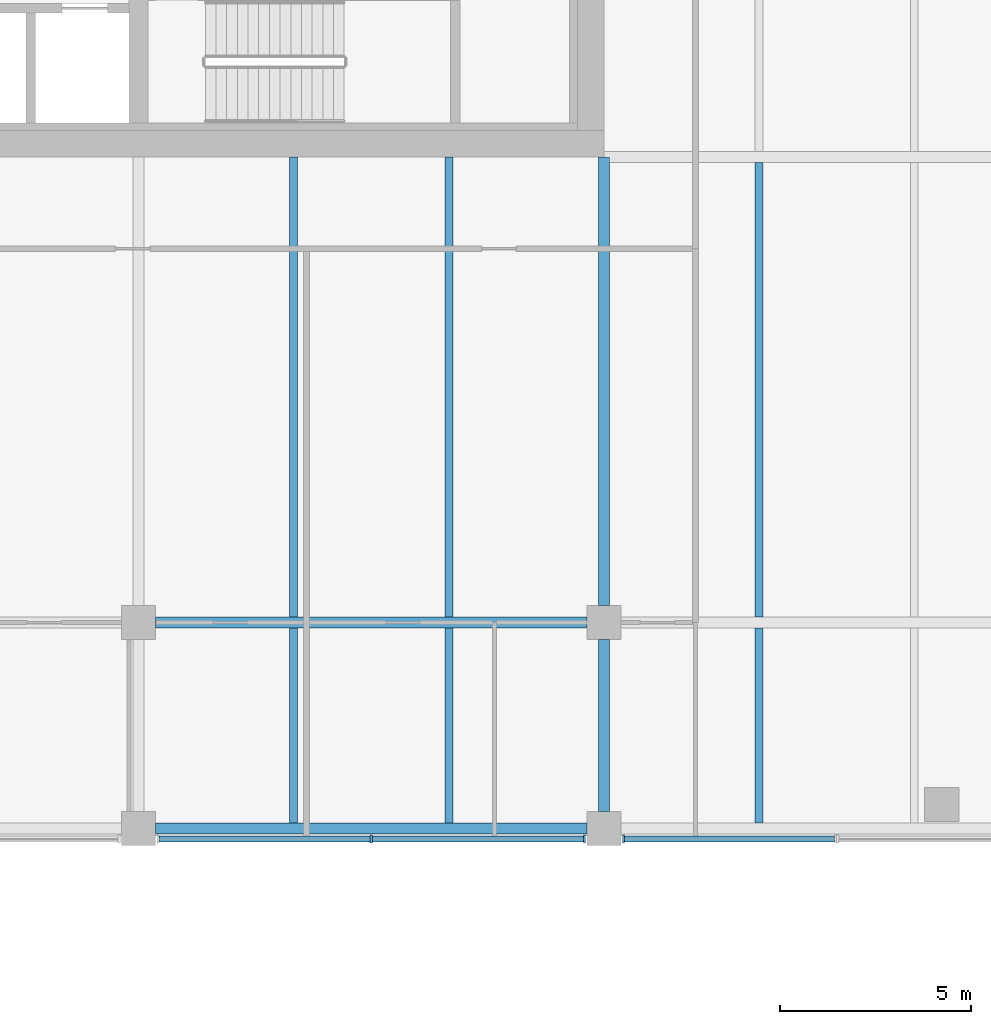
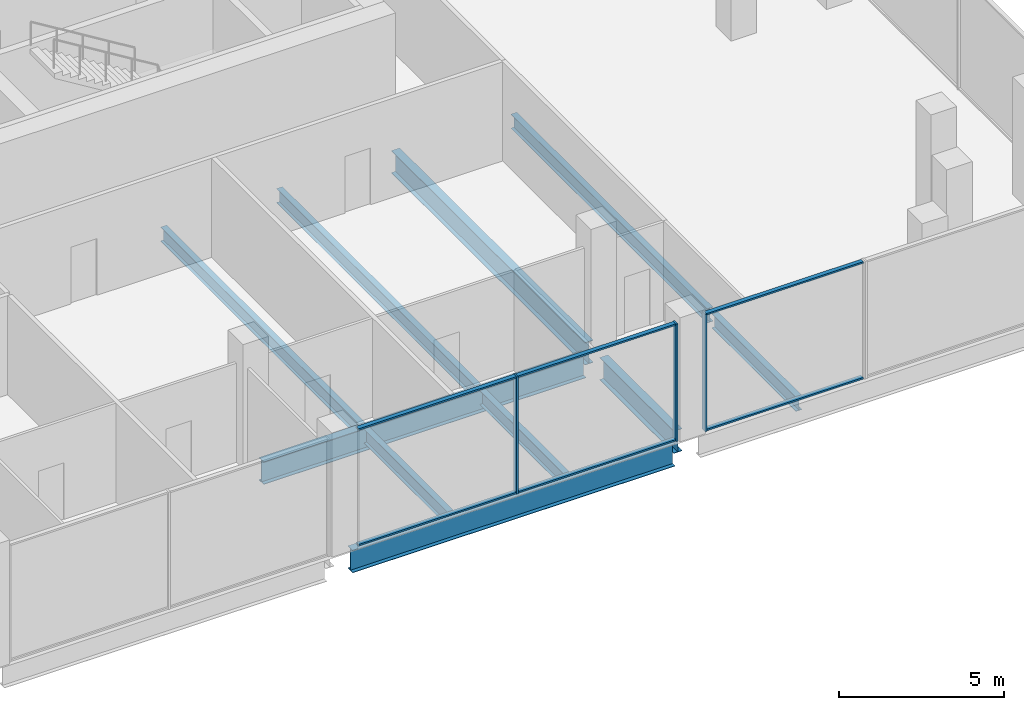
# One storey, part 9 of 33: 10 beams, 9 members, 2 elements without a shape of their own.
"""IFC4 building model written with IfcOpenShell, lengths in metres."""

from ifc_helpers import new_model, si_unit, direction, frame, origin, origin_2d, place, context, subcontext, project, spatial, rectangle, i_section, extrude, material, material_profile, profile_set, type_object, element, aggregate, save


model = new_model("IFC4")

# Units and contexts
model_context = context("Model", 3, precision=1e-05, world=origin(), true_north=direction((0.0, 1.0)))
body_context = subcontext(model_context, "Body", "Model", "MODEL_VIEW")
ifc_project = project(units=[si_unit("LENGTHUNIT", "METRE"), si_unit("AREAUNIT", "SQUARE_METRE"), si_unit("VOLUMEUNIT", "CUBIC_METRE"), si_unit("PLANEANGLEUNIT", "RADIAN"), si_unit("MASSUNIT", "GRAM", prefix="KILO")], contexts=[model_context])

# Site, building, storey
site_placement = place(None, origin())
site = spatial("IfcSite", under=ifc_project, at=site_placement, CompositionType="ELEMENT")
building_placement = place(site_placement, origin())
building = spatial("IfcBuilding", under=site, at=building_placement, Name="Tessera Gate Towers", CompositionType="ELEMENT")
storey_placement = place(building_placement, frame((0.0, 0.0, 12.0)))
storey = spatial("IfcBuildingStorey", under=building, at=storey_placement, Name="L02", CompositionType="ELEMENT", Elevation=12.0)

# Beams
ifc_material_1 = material(Name="Steel 350W", Category="steel")
ifc_material_profile_1 = material_profile(ifc_material_1, i_section(OverallWidth=0.2919921875, OverallDepth=0.8349609375, WebThickness=0.013916015625, FlangeThickness=0.018798828125, at=origin_2d()), Name="W840x176")
ifc_profile_set_1 = profile_set([ifc_material_profile_1], Name="Steel 350W")
beam_type_1 = type_object("IfcBeamType", Name="FLOOR GIRDER W840x176", PredefinedType="BEAM", material=ifc_profile_set_1)
for number, where, z_axis, x_axis, name in (
    (1, (110.25, 19.0, -0.66748046875), (1.0, 0.0, 0.0), (0.0, 1.0, 0.0), "PD-GD-L02-368"),
    (2, (110.25, 24.39990234375, -0.66748046875), (1.0, 0.0, 0.0), (0.0, 1.0, 0.0), "PD-GD-L02-387"),
):
    element("IfcBeam", number, at=place(storey_placement, frame(where, z_axis=z_axis, x_axis=x_axis)), inside=storey, type_object=beam_type_1, Name=name, PredefinedType="BEAM", context=body_context, shape_type="SweptSolid", body=[
        extrude(i_section(OverallWidth=0.2919921875, OverallDepth=0.8349609375, WebThickness=0.013916015625, FlangeThickness=0.018798828125, at=origin_2d()), origin(), (0.0, 0.0, 1.0), 11.300048828125),
    ])
beam_1_placement = place(storey_placement, frame((122.0, 19.449951171875, -0.66748046875), z_axis=(0.0, 1.0, 0.0), x_axis=(-1.0, 0.0, 0.0)))
element("IfcBeam", 3, at=beam_1_placement, inside=storey, type_object=beam_type_1, Name="PD-GD-L02-435", PredefinedType="BEAM", context=body_context, shape_type="SweptSolid", body=[
    extrude(i_section(OverallWidth=0.2919921875, OverallDepth=0.8349609375, WebThickness=0.013916015625, FlangeThickness=0.018798828125, at=origin_2d()), origin(), (0.0, 0.0, 1.0), 4.5),
])
beam_2_placement = place(storey_placement, frame((122.0, 24.85009765625, -0.66748046875), z_axis=(0.0, 1.0, 0.0), x_axis=(-1.0, 0.0, 0.0)))
element("IfcBeam", 4, at=beam_2_placement, inside=storey, type_object=beam_type_1, Name="PD-GD-L02-436", PredefinedType="BEAM", context=body_context, shape_type="SweptSolid", body=[
    extrude(i_section(OverallWidth=0.2919921875, OverallDepth=0.8349609375, WebThickness=0.013916015625, FlangeThickness=0.018798828125, at=origin_2d()), origin(), (0.0, 0.0, 1.0), 11.75),
])
ifc_material_2 = material(Name="Steel 350W", Category="steel")
ifc_material_profile_2 = material_profile(ifc_material_2, i_section(OverallWidth=0.208984375, OverallDepth=0.528076171875, WebThickness=0.009521484375, FlangeThickness=0.01318359375, at=origin_2d()), Name="W530x82")
ifc_profile_set_2 = profile_set([ifc_material_profile_2], Name="Steel 350W")
beam_type_2 = type_object("IfcBeamType", Name="FLOOR SECONDARY W530x82", PredefinedType="BEAM", material=ifc_profile_set_2)
beam_3_placement = place(storey_placement, frame((113.86669921875, 19.14599609375, -0.513916015625), z_axis=(0.0, 1.0, 0.0), x_axis=(-1.0, 0.0, 0.0)))
element("IfcBeam", 5, at=beam_3_placement, inside=storey, type_object=beam_type_2, Name="PD-BM-L02-536", PredefinedType="BEAM", context=body_context, shape_type="SweptSolid", body=[
    extrude(i_section(OverallWidth=0.208984375, OverallDepth=0.528076171875, WebThickness=0.009521484375, FlangeThickness=0.01318359375, at=origin_2d()), origin(), (0.0, 0.0, 1.0), 5.10791015625),
])
beam_4_placement = place(storey_placement, frame((113.86669921875, 24.5458984375, -0.513916015625), z_axis=(0.0, 1.0, 0.0), x_axis=(-1.0, 0.0, 0.0)))
element("IfcBeam", 6, at=beam_4_placement, inside=storey, type_object=beam_type_2, Name="PD-BM-L02-537", PredefinedType="BEAM", context=body_context, shape_type="SweptSolid", body=[
    extrude(i_section(OverallWidth=0.208984375, OverallDepth=0.528076171875, WebThickness=0.009521484375, FlangeThickness=0.01318359375, at=origin_2d()), origin(), (0.0, 0.0, 1.0), 12.05419921875),
])
beam_5_placement = place(storey_placement, frame((117.933349609375, 19.14599609375, -0.513916015625), z_axis=(0.0, 1.0, 0.0), x_axis=(-1.0, 0.0, 0.0)))
element("IfcBeam", 7, at=beam_5_placement, inside=storey, type_object=beam_type_2, Name="PD-BM-L02-539", PredefinedType="BEAM", context=body_context, shape_type="SweptSolid", body=[
    extrude(i_section(OverallWidth=0.208984375, OverallDepth=0.528076171875, WebThickness=0.009521484375, FlangeThickness=0.01318359375, at=origin_2d()), origin(), (0.0, 0.0, 1.0), 5.10791015625),
])
beam_6_placement = place(storey_placement, frame((117.933349609375, 24.5458984375, -0.513916015625), z_axis=(0.0, 1.0, 0.0), x_axis=(-1.0, 0.0, 0.0)))
element("IfcBeam", 8, at=beam_6_placement, inside=storey, type_object=beam_type_2, Name="PD-BM-L02-540", PredefinedType="BEAM", context=body_context, shape_type="SweptSolid", body=[
    extrude(i_section(OverallWidth=0.208984375, OverallDepth=0.528076171875, WebThickness=0.009521484375, FlangeThickness=0.01318359375, at=origin_2d()), origin(), (0.0, 0.0, 1.0), 12.05419921875),
])
beam_7_placement = place(storey_placement, frame((126.066650390625, 19.14599609375, -0.513916015625), z_axis=(0.0, 1.0, 0.0), x_axis=(-1.0, 0.0, 0.0)))
element("IfcBeam", 9, at=beam_7_placement, inside=storey, type_object=beam_type_2, Name="PD-BM-L02-543", PredefinedType="BEAM", context=body_context, shape_type="SweptSolid", body=[
    extrude(i_section(OverallWidth=0.208984375, OverallDepth=0.528076171875, WebThickness=0.009521484375, FlangeThickness=0.01318359375, at=origin_2d()), origin(), (0.0, 0.0, 1.0), 5.10791015625),
])
beam_8_placement = place(storey_placement, frame((126.066650390625, 24.5458984375, -0.513916015625), z_axis=(0.0, 1.0, 0.0), x_axis=(-1.0, 0.0, 0.0)))
element("IfcBeam", 10, at=beam_8_placement, inside=storey, type_object=beam_type_2, Name="PD-BM-L02-544", PredefinedType="BEAM", context=body_context, shape_type="SweptSolid", body=[
    extrude(i_section(OverallWidth=0.208984375, OverallDepth=0.528076171875, WebThickness=0.009521484375, FlangeThickness=0.01318359375, at=origin_2d()), origin(), (0.0, 0.0, 1.0), 11.908203125),
])

# Curtain wall, members
ifc_material_3 = material(Name="Aluminium frame", Category="aluminium")
curtain_wall_type = type_object("IfcCurtainWallType", Name="CW-S1 podium storefront", PredefinedType="NOTDEFINED", material=ifc_material_3)
curtain_wall_1_placement = place(storey_placement, origin())
curtain_wall_1 = element("IfcCurtainWall", 11, at=curtain_wall_1_placement, inside=storey, type_object=curtain_wall_type, Name="Curtain wall podium storefront 0167", PredefinedType="NOTDEFINED")
ifc_material_4 = material(Name="Aluminium frame", Category="aluminium")
ifc_material_profile_3 = material_profile(ifc_material_4, rectangle(XDim=0.06005859375, YDim=0.199951171875, at=origin_2d()), Name="AL 60x200")
ifc_profile_set_3 = profile_set([ifc_material_profile_3], Name="Aluminium frame")
member_type_1 = type_object("IfcMemberType", Name="MU-S1 mullion 60x200", PredefinedType="MULLION", material=ifc_profile_set_3)
member_1_placement = place(storey_placement, frame((115.89990234375, 18.72509765625, 0.0), z_axis=(0.0, 0.0, 1.0), x_axis=(1.0, 0.0, 0.0)))
member_1 = element("IfcMember", 12, at=member_1_placement, type_object=member_type_1, Name="PD-CW1-0167 mullion 2", PredefinedType="MULLION", context=body_context, shape_type="SweptSolid", body=[
    extrude(rectangle(XDim=0.06005859375, YDim=0.199951171875, at=origin_2d()), origin(), (0.0, 0.0, 1.0), 4.35009765625),
])
member_2_placement = place(storey_placement, frame((121.489990234375, 18.72509765625, 0.0), z_axis=(0.0, 0.0, 1.0), x_axis=(1.0, 0.0, 0.0)))
member_2 = element("IfcMember", 13, at=member_2_placement, type_object=member_type_1, Name="PD-CW1-0167 mullion 3", PredefinedType="MULLION", context=body_context, shape_type="SweptSolid", body=[
    extrude(rectangle(XDim=0.06005859375, YDim=0.199951171875, at=origin_2d()), origin(), (0.0, 0.0, 1.0), 4.35009765625),
])

# Curtain wall, member
curtain_wall_2_placement = place(storey_placement, origin())
curtain_wall_2 = element("IfcCurtainWall", 14, at=curtain_wall_2_placement, inside=storey, type_object=curtain_wall_type, Name="Curtain wall podium storefront 0168", PredefinedType="NOTDEFINED")
member_3_placement = place(storey_placement, frame((122.510009765625, 18.72509765625, 0.0), z_axis=(0.0, 0.0, 1.0), x_axis=(1.0, 0.0, 0.0)))
member_3 = element("IfcMember", 15, at=member_3_placement, type_object=member_type_1, Name="PD-CW1-0168 mullion 1", PredefinedType="MULLION", context=body_context, shape_type="SweptSolid", body=[
    extrude(rectangle(XDim=0.06005859375, YDim=0.199951171875, at=origin_2d()), origin(), (0.0, 0.0, 1.0), 4.35009765625),
])

# Member
ifc_material_5 = material(Name="Aluminium frame", Category="aluminium")
ifc_material_profile_4 = material_profile(ifc_material_5, rectangle(XDim=0.14990234375, YDim=0.06005859375, at=origin_2d()), Name="AL 60x150")
ifc_profile_set_4 = profile_set([ifc_material_profile_4], Name="Aluminium frame")
member_type_2 = type_object("IfcMemberType", Name="TR-S1 transom 60x150", PredefinedType="USERDEFINED", material=ifc_profile_set_4)
member_4_placement = place(storey_placement, frame((110.340087890625, 18.72509765625, 0.030029296875), z_axis=(1.0, 0.0, 0.0), x_axis=(0.0, 1.0, 0.0)))
member_4 = element("IfcMember", 16, at=member_4_placement, type_object=member_type_2, Name="PD-CW1-0167 transom 1.1", ObjectType="TRANSOM", PredefinedType="USERDEFINED", context=body_context, shape_type="SweptSolid", body=[
    extrude(rectangle(XDim=0.14990234375, YDim=0.06005859375, at=origin_2d()), origin(), (0.0, 0.0, 1.0), 5.530029296875),
])

member_5_placement = place(storey_placement, frame((110.340087890625, 18.72509765625, 4.320068359375), z_axis=(1.0, 0.0, 0.0), x_axis=(0.0, 1.0, 0.0)))
member_5 = element("IfcMember", 17, at=member_5_placement, type_object=member_type_2, Name="PD-CW1-0167 transom 1.2", ObjectType="TRANSOM", PredefinedType="USERDEFINED", context=body_context, shape_type="SweptSolid", body=[
    extrude(rectangle(XDim=0.14990234375, YDim=0.06005859375, at=origin_2d()), origin(), (0.0, 0.0, 1.0), 5.530029296875),
])

member_6_placement = place(storey_placement, frame((115.929931640625, 18.72509765625, 0.030029296875), z_axis=(1.0, 0.0, 0.0), x_axis=(0.0, 1.0, 0.0)))
member_6 = element("IfcMember", 18, at=member_6_placement, type_object=member_type_2, Name="PD-CW1-0167 transom 2.1", ObjectType="TRANSOM", PredefinedType="USERDEFINED", context=body_context, shape_type="SweptSolid", body=[
    extrude(rectangle(XDim=0.14990234375, YDim=0.06005859375, at=origin_2d()), origin(), (0.0, 0.0, 1.0), 5.530029296875),
])

member_7_placement = place(storey_placement, frame((115.929931640625, 18.72509765625, 4.320068359375), z_axis=(1.0, 0.0, 0.0), x_axis=(0.0, 1.0, 0.0)))
member_7 = element("IfcMember", 19, at=member_7_placement, type_object=member_type_2, Name="PD-CW1-0167 transom 2.2", ObjectType="TRANSOM", PredefinedType="USERDEFINED", context=body_context, shape_type="SweptSolid", body=[
    extrude(rectangle(XDim=0.14990234375, YDim=0.06005859375, at=origin_2d()), origin(), (0.0, 0.0, 1.0), 5.530029296875),
])

aggregate(curtain_wall_1, [member_1, member_2, member_4, member_5, member_6, member_7])

member_8_placement = place(storey_placement, frame((122.5400390625, 18.72509765625, 0.030029296875), z_axis=(1.0, 0.0, 0.0), x_axis=(0.0, 1.0, 0.0)))
member_8 = element("IfcMember", 20, at=member_8_placement, type_object=member_type_2, Name="PD-CW1-0168 transom 1.1", ObjectType="TRANSOM", PredefinedType="USERDEFINED", context=body_context, shape_type="SweptSolid", body=[
    extrude(rectangle(XDim=0.14990234375, YDim=0.06005859375, at=origin_2d()), origin(), (0.0, 0.0, 1.0), 5.5),
])

member_9_placement = place(storey_placement, frame((122.5400390625, 18.72509765625, 4.320068359375), z_axis=(1.0, 0.0, 0.0), x_axis=(0.0, 1.0, 0.0)))
member_9 = element("IfcMember", 21, at=member_9_placement, type_object=member_type_2, Name="PD-CW1-0168 transom 1.2", ObjectType="TRANSOM", PredefinedType="USERDEFINED", context=body_context, shape_type="SweptSolid", body=[
    extrude(rectangle(XDim=0.14990234375, YDim=0.06005859375, at=origin_2d()), origin(), (0.0, 0.0, 1.0), 5.5),
])

aggregate(curtain_wall_2, [member_3, member_8, member_9])

save(model, "model.ifc")
